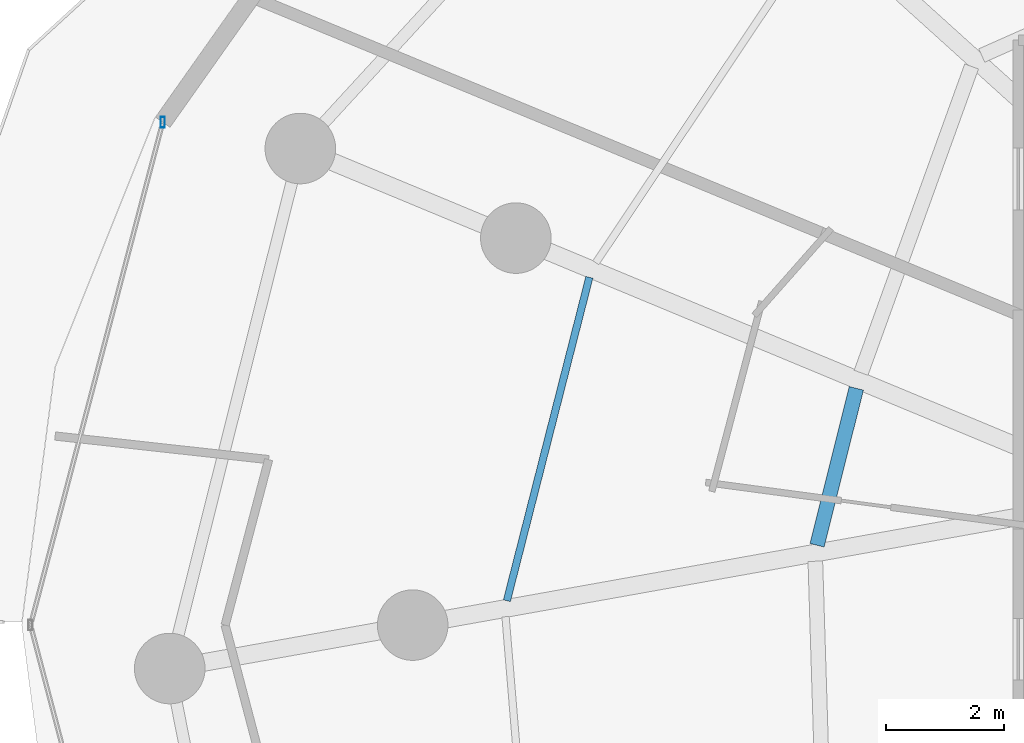
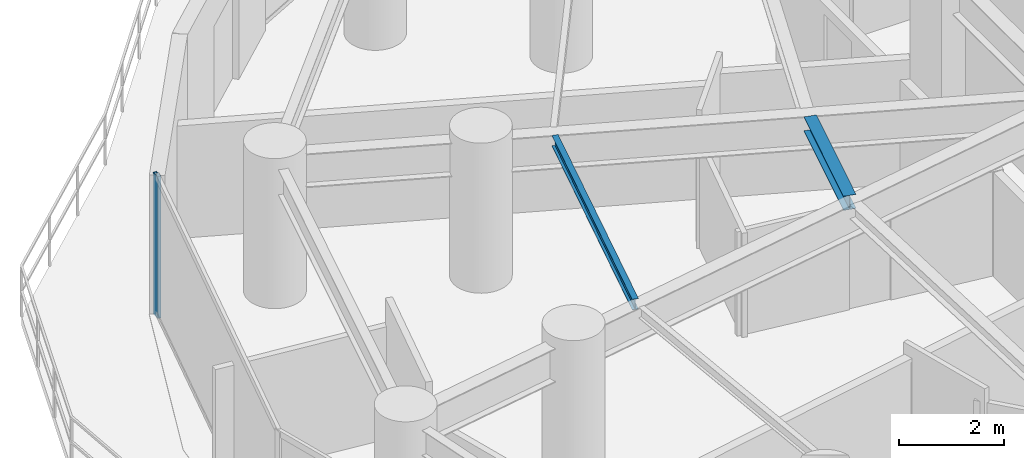
# One storey, part 10 of 35: 2 beams, 1 member, 1 element without a shape of its own.
"""IFC4 building model written with IfcOpenShell, lengths in metres."""

import ifcopenshell
import ifcopenshell.guid

model = None  # the IFC model being written
_history = None  # IfcOwnerHistory: only IFC2X3 demands one
_inside = {}  # id of a spatial element -> (the spatial element, [elements in it])
_under = {}  # id of a project, library or spatial element -> (it, [spatial elements below it])
_declared = {}  # id of a project -> (the project, [libraries it declares])
_typed = {}  # id of a type object -> (the type object, [elements of that type])
_made_of = {}  # id of a material, layer set ... -> (it, [elements and type objects made of it])


def new_model(schema):
    """Start an empty IFC model of exactly this schema.

    Asked for "IFC4X3", IfcOpenShell would pick the latest addendum, in which some entities
    have other attributes; the version numbers below select the first issue.
    IFC2X3 requires an IfcOwnerHistory on every rooted entity: one is made here for all.
    """
    global model, _history
    if schema == "IFC4X3":
        model = ifcopenshell.file(schema_version=(4, 3, 0, 0))
    else:
        model = ifcopenshell.file(schema=schema)
    _inside.clear()
    _under.clear()
    _declared.clear()
    _typed.clear()
    _made_of.clear()
    _history = None
    if model.schema == "IFC2X3":
        org = make("IfcOrganization", Name="unknown")
        user = make(
            "IfcPersonAndOrganization",
            ThePerson=make("IfcPerson", FamilyName="unknown"),
            TheOrganization=org,
        )
        app = make(
            "IfcApplication",
            ApplicationDeveloper=org,
            Version="unknown",
            ApplicationFullName="unknown",
            ApplicationIdentifier="unknown",
        )
        _history = make(
            "IfcOwnerHistory",
            OwningUser=user,
            OwningApplication=app,
            ChangeAction="ADDED",
            CreationDate=0,
        )
    return model


def make(cls, **values):
    """One entity of the class cls with the attributes given. An attribute that is None is left unset."""
    return model.create_entity(
        cls, **{name: value for name, value in values.items() if value is not None}
    )


def rooted(cls, **values):
    """An entity with a GlobalId (a new one), such as an element, a storey or a relation."""
    return make(cls, GlobalId=ifcopenshell.guid.new(), OwnerHistory=_history, **values)


def si_unit(unit_type, name, prefix=None):
    """IfcSIUnit, for example si_unit("LENGTHUNIT", "METRE", prefix="MILLI")."""
    return make("IfcSIUnit", UnitType=unit_type, Prefix=prefix, Name=name)


def assignment(units):
    """IfcUnitAssignment: the units of a project."""
    return None if units is None else make("IfcUnitAssignment", Units=units)


def point(xyz):
    """IfcCartesianPoint."""
    return None if xyz is None else make("IfcCartesianPoint", Coordinates=xyz)


def direction(xyz):
    """IfcDirection."""
    return None if xyz is None else make("IfcDirection", DirectionRatios=xyz)


def frame(location, z_axis=None, x_axis=None):
    """IfcAxis2Placement3D, a coordinate frame: its origin and axes. An axis left out is left unset."""
    return make(
        "IfcAxis2Placement3D",
        Location=point(location),
        Axis=direction(z_axis),
        RefDirection=direction(x_axis),
    )


def frame_2d(location, x_axis=None):
    """IfcAxis2Placement2D, a coordinate frame in the plane: its origin and x axis."""
    return make(
        "IfcAxis2Placement2D", Location=point(location), RefDirection=direction(x_axis)
    )


def origin():
    """The frame at (0, 0, 0) with its axes left unset."""
    return frame((0.0, 0.0, 0.0))


def origin_2d():
    """The frame at (0, 0) in the plane with its x axis left unset."""
    return frame_2d((0.0, 0.0))


def place(relative_to, where):
    """IfcLocalPlacement: puts the frame where relative to a parent placement (None: the world)."""
    return make(
        "IfcLocalPlacement", PlacementRelTo=relative_to, RelativePlacement=where
    )


def context(
    kind, dimensions, precision=None, world=None, true_north=None, identifier=None
):
    """IfcGeometricRepresentationContext, for example the 3D "Model" context."""
    return make(
        "IfcGeometricRepresentationContext",
        ContextIdentifier=identifier,
        ContextType=kind,
        CoordinateSpaceDimension=dimensions,
        Precision=precision,
        WorldCoordinateSystem=world,
        TrueNorth=true_north,
    )


def subcontext(parent, identifier, kind, view, scale=None):
    """IfcGeometricRepresentationSubContext, for example "Body" below "Model"."""
    return make(
        "IfcGeometricRepresentationSubContext",
        ContextIdentifier=identifier,
        ContextType=kind,
        ParentContext=parent,
        TargetScale=scale,
        TargetView=view,
    )


def project(units=None, contexts=None):
    """IfcProject with its units and contexts."""
    return rooted(
        "IfcProject",
        Name="project",
        RepresentationContexts=contexts,
        UnitsInContext=assignment(units),
    )


def spatial(cls, under=None, at=None, **own):
    """A site, building, storey or space (cls), placed at a placement, below another one or the project."""
    s = rooted(cls, ObjectPlacement=at, **own)
    if under is not None:
        _under.setdefault(under.id(), (under, []))[1].append(s)
    return s


def profile(cls, at=None, kind="AREA", **sizes):
    """A parametric profile (cls). Its sizes go by their IFC names, for example OverallWidth=200.0."""
    return make(cls, ProfileType=kind, Position=at, **sizes)


def hollow_rectangle(**sizes):
    """IfcRectangleHollowProfileDef."""
    return profile("IfcRectangleHollowProfileDef", **sizes)


def i_section(**sizes):
    """IfcIShapeProfileDef."""
    return profile("IfcIShapeProfileDef", **sizes)


def extrude(swept, where, along, depth):
    """IfcExtrudedAreaSolid: the profile swept, set in the frame where, extruded along a direction by depth."""
    return make(
        "IfcExtrudedAreaSolid",
        SweptArea=swept,
        Position=where,
        ExtrudedDirection=direction(along),
        Depth=depth,
    )


def shape(context_of_items, identifier, shape_type, items):
    """IfcShapeRepresentation: the items that make up one representation, for example the "Body"."""
    return make(
        "IfcShapeRepresentation",
        ContextOfItems=context_of_items,
        RepresentationIdentifier=identifier,
        RepresentationType=shape_type,
        Items=items,
    )


def material(Name=None, Category=None):
    """IfcMaterial."""
    return make("IfcMaterial", Name=Name, Category=Category)


def material_profile(
    of_material, cross_section, Name=None, Category=None, Priority=None
):
    """IfcMaterialProfile: a cross section and its material."""
    return make(
        "IfcMaterialProfile",
        Name=Name,
        Material=of_material,
        Profile=cross_section,
        Priority=Priority,
        Category=Category,
    )


def profile_set(profiles, Name=None, composite=None):
    """IfcMaterialProfileSet."""
    return make(
        "IfcMaterialProfileSet",
        Name=Name,
        MaterialProfiles=profiles,
        CompositeProfile=composite,
    )


def made_of(thing, what):
    """Note that an element or type object is made of a material, layer set ...; save() writes the relation."""
    if what is not None:
        _made_of.setdefault(what.id(), (what, []))[1].append(thing)
    return thing


def type_object(cls, material=None, **own):
    """A type object (cls), such as IfcWallType, which elements share."""
    return made_of(rooted(cls, **own), material)


def element(
    cls,
    number,
    at=None,
    inside=None,
    cuts=None,
    type_object=None,
    material=None,
    context=None,
    identifier="Body",
    shape_type=None,
    held_by="IfcProductDefinitionShape",
    body=None,
    shapes=None,
    **own,
):
    """One element of the class cls, such as IfcWall. Its Tag is "e" and its number.

    at: its placement. inside: the storey or other place that contains it. cuts: it is an
    opening in that element (IfcRelVoidsElement). A single representation is given by context,
    identifier, shape_type and body (its items); several are given by shapes. held_by: the class
    of the entity that holds the representations. save() writes the other relations.
    """
    e = rooted(cls, Tag="e%d" % number, ObjectPlacement=at, **own)
    if body is not None:
        shapes = [shape(context, identifier, shape_type, body)]
    if shapes is not None:
        e.Representation = make(held_by, Representations=shapes)
    if inside is not None:
        _inside.setdefault(inside.id(), (inside, []))[1].append(e)
    if cuts is not None:
        rooted(
            "IfcRelVoidsElement", RelatingBuildingElement=cuts, RelatedOpeningElement=e
        )
    if type_object is not None:
        _typed.setdefault(type_object.id(), (type_object, []))[1].append(e)
    return made_of(e, material)


def aggregate(whole, parts):
    """IfcRelAggregates: a whole, such as a stair, and the parts it consists of."""
    return rooted("IfcRelAggregates", RelatingObject=whole, RelatedObjects=parts)


def save(model, path):
    """Write the relations noted so far, then the file.

    IfcRelAggregates (storeys below a building ...), IfcRelContainedInSpatialStructure (elements
    in a storey), IfcRelDefinesByType, IfcRelAssociatesMaterial and IfcRelDeclares: one each for
    every whole, place, type object, material and project.
    """
    for whole, parts in _under.values():
        aggregate(whole, parts)
    for where, things in _inside.values():
        rooted(
            "IfcRelContainedInSpatialStructure",
            RelatedElements=things,
            RelatingStructure=where,
        )
    for kind, things in _typed.values():
        rooted("IfcRelDefinesByType", RelatedObjects=things, RelatingType=kind)
    for what, things in _made_of.values():
        rooted("IfcRelAssociatesMaterial", RelatedObjects=things, RelatingMaterial=what)
    for by, libraries in _declared.values():
        rooted("IfcRelDeclares", RelatingContext=by, RelatedDefinitions=libraries)
    model.write(path)


model = new_model("IFC4")

# Units and contexts
model_context = context("Model", 3, precision=1e-05, world=origin(), true_north=direction((0.0, 1.0)))
body_context = subcontext(model_context, "Body", "Model", "MODEL_VIEW")
ifc_project = project(units=[si_unit("LENGTHUNIT", "METRE"), si_unit("AREAUNIT", "SQUARE_METRE"), si_unit("VOLUMEUNIT", "CUBIC_METRE"), si_unit("PLANEANGLEUNIT", "RADIAN"), si_unit("MASSUNIT", "GRAM", prefix="KILO")], contexts=[model_context])

# Site, building, storey
site_placement = place(None, origin())
site = spatial("IfcSite", under=ifc_project, at=site_placement, CompositionType="ELEMENT")
building_placement = place(site_placement, origin())
building = spatial("IfcBuilding", under=site, at=building_placement, Name="Vorneva Point Tower", CompositionType="ELEMENT")
storey_placement = place(building_placement, frame((0.0, 0.0, 48.5)))
storey = spatial("IfcBuildingStorey", under=building, at=storey_placement, Name="L12", CompositionType="ELEMENT", Elevation=48.5)

# Beams
ifc_material_1 = material(Name="Steel S355", Category="steel")
ifc_material_profile_1 = material_profile(ifc_material_1, i_section(OverallWidth=0.1240234375, OverallDepth=0.248046875, WebThickness=0.0048828125, FlangeThickness=0.008056640625, at=origin_2d()), Name="25B1")
ifc_profile_set_1 = profile_set([ifc_material_profile_1], Name="Steel S355")
beam_type_1 = type_object("IfcBeamType", Name="BM-JST-25B1", PredefinedType="JOIST", material=ifc_profile_set_1)
beam_1_placement = place(storey_placement, frame((17.954833984375, 31.914794921875, 3.115966796875), z_axis=(-0.247116933872, -0.968985666041, 0.0), x_axis=(0.968985666041, -0.247116933872, 0.0)))
element("IfcBeam", 1, at=beam_1_placement, inside=storey, type_object=beam_type_1, Name="L12 Secondary Floor Beam 1.08", PredefinedType="JOIST", context=body_context, shape_type="SweptSolid", body=[
    extrude(i_section(OverallWidth=0.1240234375, OverallDepth=0.248046875, WebThickness=0.0048828125, FlangeThickness=0.008056640625, at=origin_2d()), origin(), (0.0, 0.0, 1.0), 5.6767578125),
])
ifc_material_profile_2 = material_profile(ifc_material_1, i_section(OverallWidth=0.2490234375, OverallDepth=0.333984375, WebThickness=0.008056640625, FlangeThickness=0.010986328125, at=origin_2d()), Name="35Sh1")
ifc_profile_set_2 = profile_set([ifc_material_profile_2], Name="Steel S355")
beam_type_2 = type_object("IfcBeamType", Name="BM-SEC-35Sh1", PredefinedType="BEAM", material=ifc_profile_set_2)
beam_2_placement = place(storey_placement, frame((22.49560546875, 30.02783203125, 3.072998046875), z_axis=(-0.242702599496, -0.970100741262, 0.0), x_axis=(0.970100741262, -0.242702599496, 0.0)))
element("IfcBeam", 2, at=beam_2_placement, inside=storey, type_object=beam_type_2, Name="L12 Secondary Floor Beam 2.08", PredefinedType="BEAM", context=body_context, shape_type="SweptSolid", body=[
    extrude(i_section(OverallWidth=0.2490234375, OverallDepth=0.333984375, WebThickness=0.008056640625, FlangeThickness=0.010986328125, at=origin_2d()), origin(), (0.0, 0.0, 1.0), 2.752197265625),
])

# Curtain wall, member
ifc_material_2 = material(Name="Pale anodised aluminium", Category="aluminium")
curtain_wall_type = type_object("IfcCurtainWallType", Name="CW-HTL-SYS", PredefinedType="NOTDEFINED", material=ifc_material_2)
curtain_wall_placement = place(storey_placement, origin())
curtain_wall = element("IfcCurtainWall", 3, at=curtain_wall_placement, inside=storey, type_object=curtain_wall_type, Name="L12 Unitised Curtain Wall CW-L12-R03", PredefinedType="NOTDEFINED")
ifc_material_profile_3 = material_profile(ifc_material_2, hollow_rectangle(XDim=0.074951171875, YDim=0.179931640625, WallThickness=0.00390625, at=origin_2d()), Name="AL-MUL 180x75x4")
ifc_profile_set_3 = profile_set([ifc_material_profile_3], Name="Pale anodised aluminium")
member_type = type_object("IfcMemberType", Name="CW-MUL-180", PredefinedType="MULLION", material=ifc_profile_set_3)
member_placement = place(storey_placement, frame((10.699462890625, 34.552978515625, -0.0400390625), z_axis=(0.0, 0.0, 1.0), x_axis=(1.0, 0.0, 0.0)))
member = element("IfcMember", 4, at=member_placement, type_object=member_type, Name="CW-L12-R03 Mullion 01", PredefinedType="MULLION", context=body_context, shape_type="SweptSolid", body=[
    extrude(hollow_rectangle(XDim=0.074951171875, YDim=0.179931640625, WallThickness=0.00390625, at=origin_2d()), origin(), (0.0, 0.0, 1.0), 3.31005859375),
])
aggregate(curtain_wall, [member])

save(model, "model.ifc")
